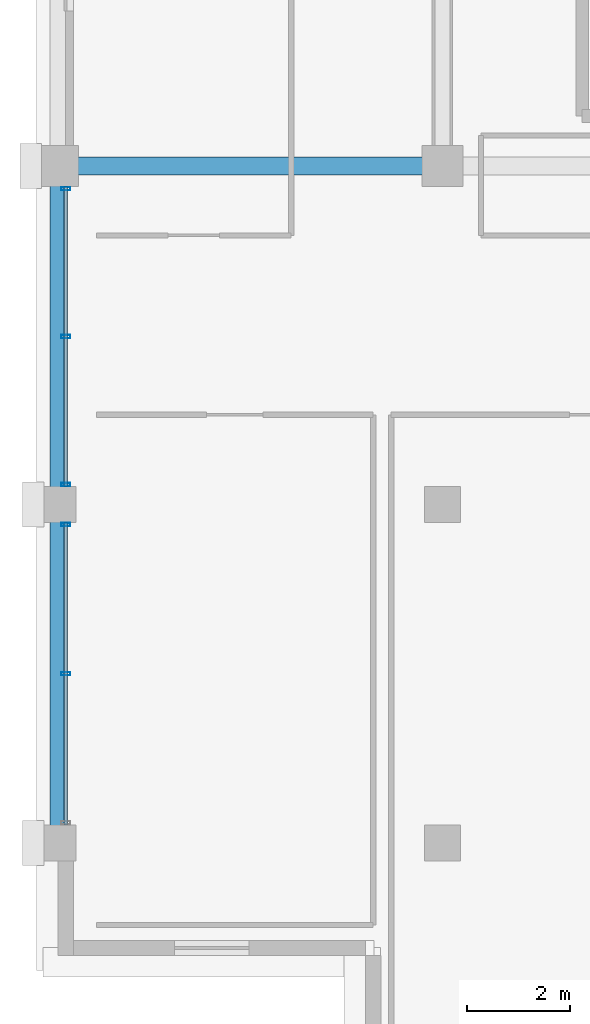
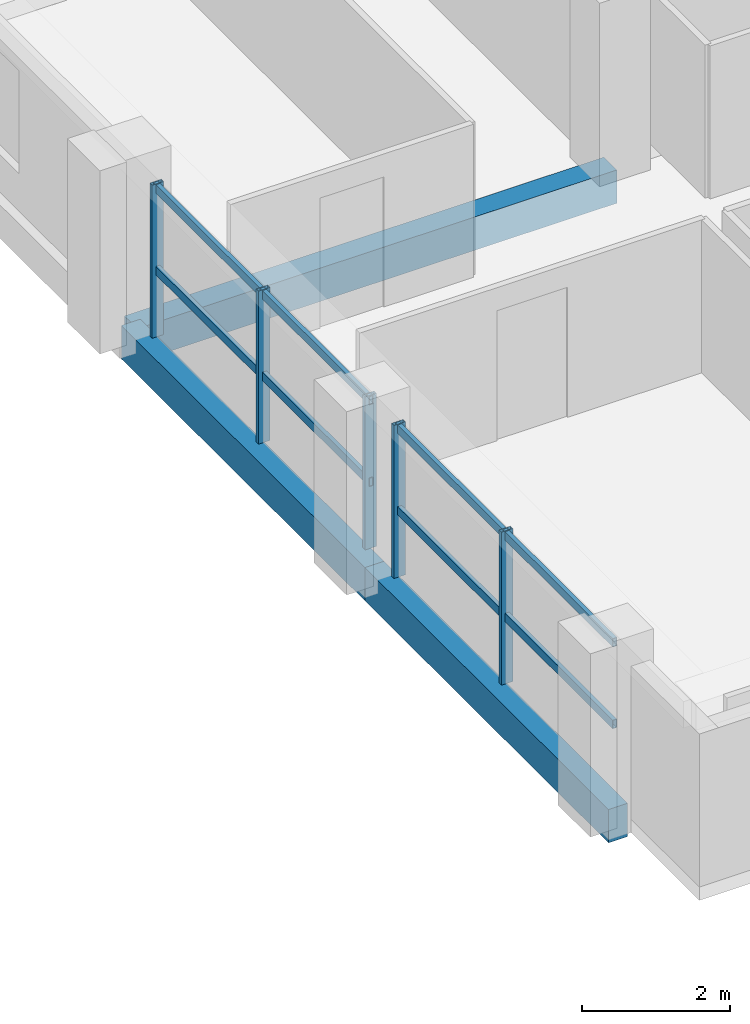
# One storey, part 5 of 21: 9 members, 3 beams, 2 elements without a shape of their own.
"""IFC4 building model written with IfcOpenShell, lengths in metres."""

from ifc_helpers import new_model, si_unit, direction, frame, origin, origin_2d, place, context, subcontext, project, spatial, rectangle, hollow_rectangle, extrude, material, material_profile, profile_set, type_object, element, aggregate, save


model = new_model("IFC4")

# Units and contexts
model_context = context("Model", 3, precision=1e-05, world=origin(), true_north=direction((0.0, 1.0)))
body_context = subcontext(model_context, "Body", "Model", "MODEL_VIEW")
ifc_project = project(units=[si_unit("LENGTHUNIT", "METRE"), si_unit("AREAUNIT", "SQUARE_METRE"), si_unit("VOLUMEUNIT", "CUBIC_METRE"), si_unit("PLANEANGLEUNIT", "RADIAN"), si_unit("MASSUNIT", "GRAM", prefix="KILO")], contexts=[model_context])

# Site, building, storey
site_placement = place(None, origin())
site = spatial("IfcSite", under=ifc_project, at=site_placement, CompositionType="ELEMENT")
building_placement = place(site_placement, origin())
building = spatial("IfcBuilding", under=site, at=building_placement, Name="Akrevak Sports Hall", CompositionType="ELEMENT")
storey_placement = place(building_placement, frame((0.0, 0.0, 53.550048828125)))
storey = spatial("IfcBuildingStorey", under=building, at=storey_placement, Name="L13", CompositionType="ELEMENT", Elevation=53.550048828125)

# Curtain wall, members
ifc_material_1 = material(Name="Anodized Bronze Aluminium & Low-E Glass", Category="aluminium")
curtain_wall_type = type_object("IfcCurtainWallType", Name="ARC-CW-TWR-68x30", PredefinedType="NOTDEFINED", material=ifc_material_1)
curtain_wall_1_placement = place(storey_placement, origin())
curtain_wall_1 = element("IfcCurtainWall", 1, at=curtain_wall_1_placement, inside=storey, type_object=curtain_wall_type, Name="Curtain Wall CW-L13-W28", PredefinedType="NOTDEFINED")
ifc_material_2 = material(Name="Anodized Bronze Aluminium", Category="aluminium")
ifc_material_profile_1 = material_profile(ifc_material_2, hollow_rectangle(XDim=0.06494140625, YDim=0.179931640625, WallThickness=0.00390625, at=origin_2d()), Name="CWM 65x180", Category="aluminium")
ifc_profile_set_1 = profile_set([ifc_material_profile_1], Name="Anodized Bronze Aluminium")
member_type_1 = type_object("IfcMemberType", Name="ARC-CWM-65x140", PredefinedType="MULLION", material=ifc_profile_set_1)
member_1_placement = place(storey_placement, frame((52.64990234375, 54.760009765625, 0.0), z_axis=(0.0, 0.0, 1.0), x_axis=(0.0, -1.0, 0.0)))
member_1 = element("IfcMember", 2, at=member_1_placement, type_object=member_type_1, Name="Curtain Wall Mullion CW-L13-W28-M1", PredefinedType="MULLION", context=body_context, shape_type="SweptSolid", body=[
    extrude(hollow_rectangle(XDim=0.06494140625, YDim=0.179931640625, WallThickness=0.00390625, at=origin_2d()), origin(), (0.0, 0.0, 1.0), 2.530029296875),
])
member_2_placement = place(storey_placement, frame((52.64990234375, 51.875, 0.0), z_axis=(0.0, 0.0, 1.0), x_axis=(0.0, -1.0, 0.0)))
member_2 = element("IfcMember", 3, at=member_2_placement, type_object=member_type_1, Name="Curtain Wall Mullion CW-L13-W28-M2", PredefinedType="MULLION", context=body_context, shape_type="SweptSolid", body=[
    extrude(hollow_rectangle(XDim=0.06494140625, YDim=0.179931640625, WallThickness=0.00390625, at=origin_2d()), origin(), (0.0, 0.0, 1.0), 2.530029296875),
])
member_3_placement = place(storey_placement, frame((52.64990234375, 48.989990234375, 0.0), z_axis=(0.0, 0.0, 1.0), x_axis=(0.0, -1.0, 0.0)))
member_3 = element("IfcMember", 4, at=member_3_placement, type_object=member_type_1, Name="Curtain Wall Mullion CW-L13-W28-M3", PredefinedType="MULLION", context=body_context, shape_type="SweptSolid", body=[
    extrude(hollow_rectangle(XDim=0.06494140625, YDim=0.179931640625, WallThickness=0.00390625, at=origin_2d()), origin(), (0.0, 0.0, 1.0), 2.530029296875),
])

curtain_wall_2_placement = place(storey_placement, origin())
curtain_wall_2 = element("IfcCurtainWall", 5, at=curtain_wall_2_placement, inside=storey, type_object=curtain_wall_type, Name="Curtain Wall CW-L13-W29", PredefinedType="NOTDEFINED")
member_4_placement = place(storey_placement, frame((52.64990234375, 48.2099609375, 0.0), z_axis=(0.0, 0.0, 1.0), x_axis=(0.0, -1.0, 0.0)))
member_4 = element("IfcMember", 6, at=member_4_placement, type_object=member_type_1, Name="Curtain Wall Mullion CW-L13-W29-M1", PredefinedType="MULLION", context=body_context, shape_type="SweptSolid", body=[
    extrude(hollow_rectangle(XDim=0.06494140625, YDim=0.179931640625, WallThickness=0.00390625, at=origin_2d()), origin(), (0.0, 0.0, 1.0), 2.530029296875),
])
member_5_placement = place(storey_placement, frame((52.64990234375, 45.300048828125, 0.0), z_axis=(0.0, 0.0, 1.0), x_axis=(0.0, -1.0, 0.0)))
member_5 = element("IfcMember", 7, at=member_5_placement, type_object=member_type_1, Name="Curtain Wall Mullion CW-L13-W29-M2", PredefinedType="MULLION", context=body_context, shape_type="SweptSolid", body=[
    extrude(hollow_rectangle(XDim=0.06494140625, YDim=0.179931640625, WallThickness=0.00390625, at=origin_2d()), origin(), (0.0, 0.0, 1.0), 2.530029296875),
])

# Member
ifc_material_profile_2 = material_profile(ifc_material_2, hollow_rectangle(XDim=0.06494140625, YDim=0.139892578125, WallThickness=0.00390625, at=origin_2d()), Name="CWT 65x140", Category="aluminium")
ifc_profile_set_2 = profile_set([ifc_material_profile_2], Name="Anodized Bronze Aluminium")
member_type_2 = type_object("IfcMemberType", Name="ARC-CWT-65x110", PredefinedType="USERDEFINED", material=ifc_profile_set_2)
member_6_placement = place(storey_placement, frame((52.64990234375, 54.800048828125, 1.099853515625), z_axis=(0.0, -1.0, 0.0), x_axis=(1.0, 0.0, 0.0)))
member_6 = element("IfcMember", 8, at=member_6_placement, type_object=member_type_2, Name="Curtain Wall Transom CW-L13-W28-T1", ObjectType="TRANSOM", PredefinedType="USERDEFINED", context=body_context, shape_type="SweptSolid", body=[
    extrude(hollow_rectangle(XDim=0.06494140625, YDim=0.139892578125, WallThickness=0.00390625, at=origin_2d()), origin(), (0.0, 0.0, 1.0), 5.85009765625),
])

member_7_placement = place(storey_placement, frame((52.64990234375, 54.800048828125, 2.449951171875), z_axis=(0.0, -1.0, 0.0), x_axis=(1.0, 0.0, 0.0)))
member_7 = element("IfcMember", 9, at=member_7_placement, type_object=member_type_2, Name="Curtain Wall Transom CW-L13-W28-T2", ObjectType="TRANSOM", PredefinedType="USERDEFINED", context=body_context, shape_type="SweptSolid", body=[
    extrude(hollow_rectangle(XDim=0.06494140625, YDim=0.139892578125, WallThickness=0.00390625, at=origin_2d()), origin(), (0.0, 0.0, 1.0), 5.85009765625),
])

aggregate(curtain_wall_1, [member_1, member_2, member_3, member_6, member_7])

member_8_placement = place(storey_placement, frame((52.64990234375, 48.25, 1.099853515625), z_axis=(0.0, -1.0, 0.0), x_axis=(1.0, 0.0, 0.0)))
member_8 = element("IfcMember", 10, at=member_8_placement, type_object=member_type_2, Name="Curtain Wall Transom CW-L13-W29-T1", ObjectType="TRANSOM", PredefinedType="USERDEFINED", context=body_context, shape_type="SweptSolid", body=[
    extrude(hollow_rectangle(XDim=0.06494140625, YDim=0.139892578125, WallThickness=0.00390625, at=origin_2d()), origin(), (0.0, 0.0, 1.0), 5.89990234375),
])

member_9_placement = place(storey_placement, frame((52.64990234375, 48.25, 2.449951171875), z_axis=(0.0, -1.0, 0.0), x_axis=(1.0, 0.0, 0.0)))
member_9 = element("IfcMember", 11, at=member_9_placement, type_object=member_type_2, Name="Curtain Wall Transom CW-L13-W29-T2", ObjectType="TRANSOM", PredefinedType="USERDEFINED", context=body_context, shape_type="SweptSolid", body=[
    extrude(hollow_rectangle(XDim=0.06494140625, YDim=0.139892578125, WallThickness=0.00390625, at=origin_2d()), origin(), (0.0, 0.0, 1.0), 5.89990234375),
])

aggregate(curtain_wall_2, [member_4, member_5, member_8, member_9])

# Beams
ifc_material_3 = material(Name="Concrete C40/50", Category="concrete")
ifc_material_profile_3 = material_profile(ifc_material_3, rectangle(XDim=0.300048828125, YDim=0.550048828125, at=origin_2d()), Name="BM 300x550", Category="concrete")
ifc_profile_set_3 = profile_set([ifc_material_profile_3], Name="Concrete C40/50")
beam_type_1 = type_object("IfcBeamType", Name="STR-BM-RC300x550", PredefinedType="BEAM", material=ifc_profile_set_3)
beam_1_placement = place(storey_placement, frame((52.5, 42.0, -0.275146484375), z_axis=(0.0, 1.0, 0.0), x_axis=(-1.0, 0.0, 0.0)))
element("IfcBeam", 12, at=beam_1_placement, inside=storey, type_object=beam_type_1, Name="Girder 8/G-H (L13)", PredefinedType="BEAM", context=body_context, shape_type="SweptSolid", body=[
    extrude(rectangle(XDim=0.300048828125, YDim=0.550048828125, at=origin_2d()), origin(), (0.0, 0.0, 1.0), 6.60009765625),
])
beam_2_placement = place(storey_placement, frame((52.5, 48.60009765625, -0.275146484375), z_axis=(0.0, 1.0, 0.0), x_axis=(-1.0, 0.0, 0.0)))
element("IfcBeam", 13, at=beam_2_placement, inside=storey, type_object=beam_type_1, Name="Girder 8/H-I (L13)", PredefinedType="BEAM", context=body_context, shape_type="SweptSolid", body=[
    extrude(rectangle(XDim=0.300048828125, YDim=0.550048828125, at=origin_2d()), origin(), (0.0, 0.0, 1.0), 6.599853515625),
])
ifc_material_profile_4 = material_profile(ifc_material_3, rectangle(XDim=0.35009765625, YDim=0.550048828125, at=origin_2d()), Name="BM 350x550", Category="concrete")
ifc_profile_set_4 = profile_set([ifc_material_profile_4], Name="Concrete C40/50")
beam_type_2 = type_object("IfcBeamType", Name="STR-BM-RC350x550", PredefinedType="BEAM", material=ifc_profile_set_4)
beam_3_placement = place(storey_placement, frame((52.5, 55.199951171875, -0.275146484375), z_axis=(1.0, 0.0, 0.0), x_axis=(0.0, 1.0, 0.0)))
element("IfcBeam", 14, at=beam_3_placement, inside=storey, type_object=beam_type_2, Name="Girder I/8-9 (L13)", PredefinedType="BEAM", context=body_context, shape_type="SweptSolid", body=[
    extrude(rectangle(XDim=0.35009765625, YDim=0.550048828125, at=origin_2d()), origin(), (0.0, 0.0, 1.0), 7.5),
])

save(model, "model.ifc")
